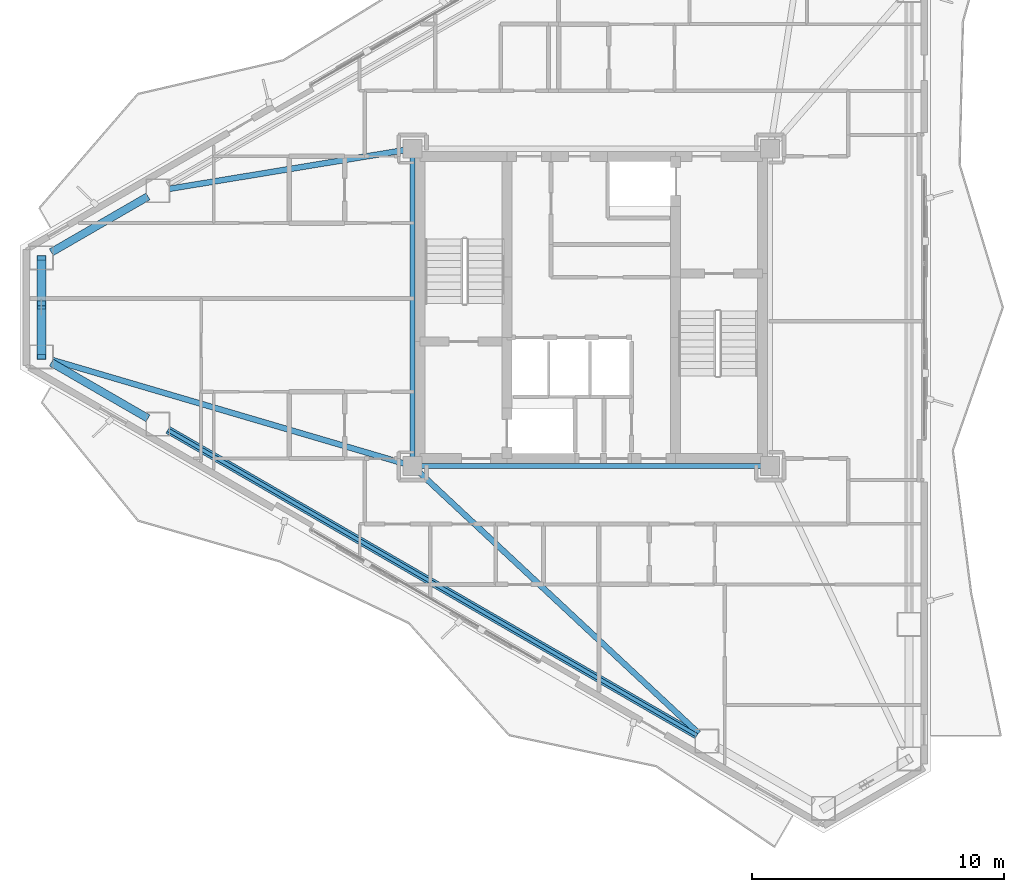
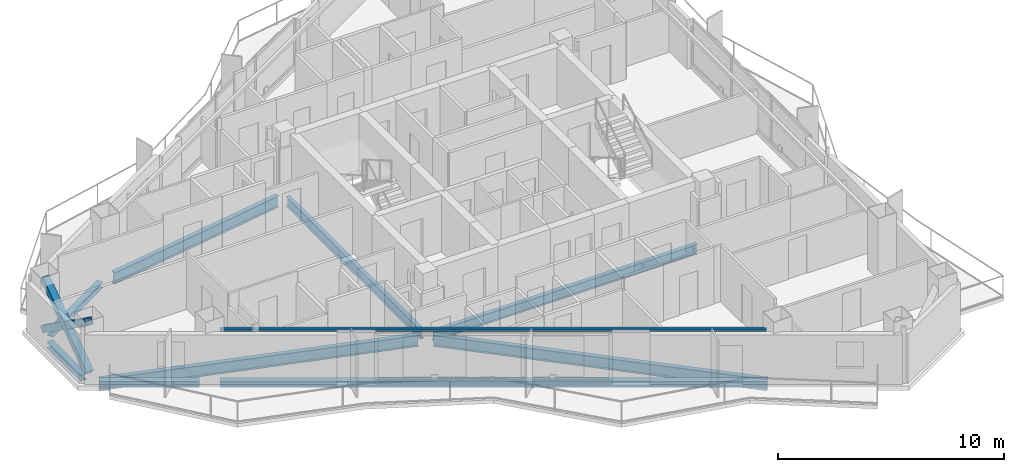
# One storey, part 4 of 19: 10 beams, 3 members.
"""IFC4 building model written with IfcOpenShell, lengths in metres."""

from ifc_helpers import new_model, si_unit, direction, frame, origin, origin_2d, place, context, subcontext, project, spatial, hollow_rectangle, i_section, extrude, material, material_profile, profile_set, type_object, element, save


model = new_model("IFC4")

# Units and contexts
model_context = context("Model", 3, precision=1e-05, world=origin(), true_north=direction((0.0, 1.0)))
body_context = subcontext(model_context, "Body", "Model", "MODEL_VIEW")
ifc_project = project(units=[si_unit("LENGTHUNIT", "METRE"), si_unit("AREAUNIT", "SQUARE_METRE"), si_unit("VOLUMEUNIT", "CUBIC_METRE"), si_unit("PLANEANGLEUNIT", "RADIAN"), si_unit("MASSUNIT", "GRAM", prefix="KILO")], contexts=[model_context])

# Site, building, storey
site_placement = place(None, origin())
site = spatial("IfcSite", under=ifc_project, at=site_placement, CompositionType="ELEMENT")
building_placement = place(site_placement, origin())
building = spatial("IfcBuilding", under=site, at=building_placement, Name="Mersakhor Tower and Convention Hall", CompositionType="ELEMENT")
storey_placement = place(building_placement, frame((0.0, 0.0, 141.0)))
storey = spatial("IfcBuildingStorey", under=building, at=storey_placement, Name="L39", CompositionType="ELEMENT", Elevation=141.0)

# Beams
ifc_material_1 = material(Name="Steel S355", Category="steel")
ifc_material_profile_1 = material_profile(ifc_material_1, i_section(OverallWidth=0.2099609375, OverallDepth=0.53662109375, WebThickness=0.0107421875, FlangeThickness=0.017333984375, at=origin_2d()), Name="UB 533x210x101")
ifc_profile_set_1 = profile_set([ifc_material_profile_1], Name="Steel S355")
beam_type_1 = type_object("IfcBeamType", Name="BM-FB-533", PredefinedType="BEAM", material=ifc_profile_set_1)
beam_1_placement = place(storey_placement, frame((21.89990234375, 20.804931640625, -0.50830078125), z_axis=(0.0, 1.0, 0.0), x_axis=(-1.0, 0.0, 0.0)))
element("IfcBeam", 1, at=beam_1_placement, inside=storey, type_object=beam_type_1, Name="L39 Core Ring Tie Beam CRB-1", PredefinedType="BEAM", context=body_context, shape_type="SweptSolid", body=[
    extrude(i_section(OverallWidth=0.2099609375, OverallDepth=0.53662109375, WebThickness=0.0107421875, FlangeThickness=0.017333984375, at=origin_2d()), origin(), (0.0, 0.0, 1.0), 11.89013671875),
])
beam_2_placement = place(storey_placement, frame((35.7451171875, 20.449951171875, -0.50830078125), z_axis=(-1.0, 0.0, 0.0), x_axis=(0.0, -1.0, 0.0)))
element("IfcBeam", 2, at=beam_2_placement, inside=storey, type_object=beam_type_1, Name="L39 Core Ring Tie Beam CRB-4", PredefinedType="BEAM", context=body_context, shape_type="SweptSolid", body=[
    extrude(i_section(OverallWidth=0.2099609375, OverallDepth=0.53662109375, WebThickness=0.0107421875, FlangeThickness=0.017333984375, at=origin_2d()), origin(), (0.0, 0.0, 1.0), 13.490234375),
])
ifc_material_2 = material(Name="Steel S355", Category="steel")
ifc_material_profile_2 = material_profile(ifc_material_2, hollow_rectangle(XDim=0.14990234375, YDim=0.14990234375, WallThickness=0.010009765625, at=origin_2d()), Name="SHS 150x150x10")
ifc_profile_set_2 = profile_set([ifc_material_profile_2], Name="Steel S355")
beam_type_2 = type_object("IfcBeamType", Name="BM-GRT-SHS150", PredefinedType="USERDEFINED", material=ifc_profile_set_2)
beam_3_placement = place(storey_placement, frame((33.198486328125, 9.754638671875, 2.47998046875), z_axis=(-0.866027433267, 0.499996484816, 0.0), x_axis=(-0.499996484816, -0.866027433267, 0.0)))
element("IfcBeam", 3, at=beam_3_placement, inside=storey, type_object=beam_type_2, Name="L39 Facade Support Girt GRT-F3", ObjectType="GIRT", PredefinedType="USERDEFINED", context=body_context, shape_type="SweptSolid", body=[
    extrude(hollow_rectangle(XDim=0.14990234375, YDim=0.14990234375, WallThickness=0.010009765625, at=origin_2d()), origin(), (0.0, 0.0, 1.0), 24.267333984375),
])
ifc_material_3 = material(Name="Steel S355", Category="steel")
ifc_material_profile_3 = material_profile(ifc_material_3, i_section(OverallWidth=0.22900390625, OverallDepth=0.6123046875, WebThickness=0.011962890625, FlangeThickness=0.01953125, at=origin_2d()), Name="UB 610x229x125")
ifc_profile_set_3 = profile_set([ifc_material_profile_3], Name="Steel S355")
beam_type_3 = type_object("IfcBeamType", Name="BM-PR-610", PredefinedType="BEAM", material=ifc_profile_set_3)
beam_4_placement = place(storey_placement, frame((21.5498046875, 32.9921875, -0.546142578125), z_axis=(-0.986703962282, -0.162527815515, 0.0), x_axis=(0.162527815515, -0.986703962282, 0.0)))
element("IfcBeam", 4, at=beam_4_placement, inside=storey, type_object=beam_type_3, Name="L39 Primary Floor Girder FG-1", PredefinedType="BEAM", context=body_context, shape_type="SweptSolid", body=[
    extrude(i_section(OverallWidth=0.22900390625, OverallDepth=0.6123046875, WebThickness=0.011962890625, FlangeThickness=0.01953125, at=origin_2d()), origin(), (0.0, 0.0, 1.0), 9.43798828125),
])
beam_5_placement = place(storey_placement, frame((22.159423828125, 20.207763671875, -0.546142578125), z_axis=(0.730740936679, -0.682654878736, 0.0), x_axis=(0.682654878736, 0.730740936679, 0.0)))
element("IfcBeam", 5, at=beam_5_placement, inside=storey, type_object=beam_type_3, Name="L39 Primary Floor Girder FG-5", PredefinedType="BEAM", context=body_context, shape_type="SweptSolid", body=[
    extrude(i_section(OverallWidth=0.22900390625, OverallDepth=0.6123046875, WebThickness=0.011962890625, FlangeThickness=0.01953125, at=origin_2d()), origin(), (0.0, 0.0, 1.0), 15.19091796875),
])
beam_6_placement = place(storey_placement, frame((21.559326171875, 20.55029296875, -0.546142578125), z_axis=(-0.959324090351, 0.282307083992, 0.0), x_axis=(-0.282307083992, -0.959324090351, 0.0)))
element("IfcBeam", 6, at=beam_6_placement, inside=storey, type_object=beam_type_3, Name="L39 Primary Floor Girder FG-6", PredefinedType="BEAM", context=body_context, shape_type="SweptSolid", body=[
    extrude(i_section(OverallWidth=0.22900390625, OverallDepth=0.6123046875, WebThickness=0.011962890625, FlangeThickness=0.01953125, at=origin_2d()), origin(), (0.0, 0.0, 1.0), 14.5546875),
])
ifc_material_4 = material(Name="Steel S355", Category="steel")
ifc_material_profile_4 = material_profile(ifc_material_4, i_section(OverallWidth=0.30908203125, OverallDepth=0.320556640625, WebThickness=0.013916015625, FlangeThickness=0.021728515625, at=origin_2d()), Name="UC 305x305x137")
ifc_profile_set_4 = profile_set([ifc_material_profile_4], Name="Steel S355")
beam_type_4 = type_object("IfcBeamType", Name="BM-SPD-UC305", PredefinedType="SPANDREL", material=ifc_profile_set_4)
beam_7_placement = place(storey_placement, frame((7.55419921875, 28.939697265625, -0.400146484375), z_axis=(0.866028798401, 0.499994120305, 0.0), x_axis=(-0.499994120305, 0.866028798401, 0.0)))
element("IfcBeam", 7, at=beam_7_placement, inside=storey, type_object=beam_type_4, Name="L39 Perimeter Spandrel Beam SPB-01", PredefinedType="SPANDREL", context=body_context, shape_type="SweptSolid", body=[
    extrude(i_section(OverallWidth=0.30908203125, OverallDepth=0.320556640625, WebThickness=0.013916015625, FlangeThickness=0.021728515625, at=origin_2d()), origin(), (0.0, 0.0, 1.0), 4.43408203125),
])
beam_8_placement = place(storey_placement, frame((33.198486328125, 9.754638671875, -0.400146484375), z_axis=(-0.866027433267, 0.499996484816, 0.0), x_axis=(-0.499996484816, -0.866027433267, 0.0)))
element("IfcBeam", 8, at=beam_8_placement, inside=storey, type_object=beam_type_4, Name="L39 Perimeter Spandrel Beam SPB-10", PredefinedType="SPANDREL", context=body_context, shape_type="SweptSolid", body=[
    extrude(i_section(OverallWidth=0.30908203125, OverallDepth=0.320556640625, WebThickness=0.013916015625, FlangeThickness=0.021728515625, at=origin_2d()), origin(), (0.0, 0.0, 1.0), 24.267333984375),
])
beam_9_placement = place(storey_placement, frame((11.394287109375, 22.34326171875, -0.400146484375), z_axis=(-0.866028798401, 0.499994120305, 0.0), x_axis=(-0.499994120305, -0.866028798401, 0.0)))
element("IfcBeam", 9, at=beam_9_placement, inside=storey, type_object=beam_type_4, Name="L39 Perimeter Spandrel Beam SPB-11", PredefinedType="SPANDREL", context=body_context, shape_type="SweptSolid", body=[
    extrude(i_section(OverallWidth=0.30908203125, OverallDepth=0.320556640625, WebThickness=0.013916015625, FlangeThickness=0.021728515625, at=origin_2d()), origin(), (0.0, 0.0, 1.0), 4.43408203125),
])
beam_10_placement = place(storey_placement, frame((7.160400390625, 25.24267578125, -0.400146484375), z_axis=(0.0, 1.0, 0.0), x_axis=(-1.0, 0.0, 0.0)))
element("IfcBeam", 10, at=beam_10_placement, inside=storey, type_object=beam_type_4, Name="L39 Perimeter Spandrel Beam SPB-12", PredefinedType="SPANDREL", context=body_context, shape_type="SweptSolid", body=[
    extrude(i_section(OverallWidth=0.30908203125, OverallDepth=0.320556640625, WebThickness=0.013916015625, FlangeThickness=0.021728515625, at=origin_2d()), origin(), (0.0, 0.0, 1.0), 3.0146484375),
])

# Members
ifc_material_5 = material(Name="Steel S460", Category="steel")
ifc_material_profile_5 = material_profile(ifc_material_5, hollow_rectangle(XDim=0.35009765625, YDim=0.35009765625, WallThickness=0.02001953125, at=origin_2d()), Name="SHS 350x350x20")
ifc_profile_set_5 = profile_set([ifc_material_profile_5], Name="Steel S460")
member_type = type_object("IfcMemberType", Name="MB-BRC-SHS350", PredefinedType="BRACE", material=ifc_profile_set_5)
member_placement = place(storey_placement, frame((7.160400390625, 24.78759765625, 0.14990234375), z_axis=(0.0, 0.817991748952, 0.575229952843), x_axis=(-1.0, 0.0, 0.0)))
element("IfcMember", 11, at=member_placement, inside=storey, type_object=member_type, Name="L39 Chamfer Braced Frame Diagonal CB-3A", PredefinedType="BRACE", context=body_context, shape_type="SweptSolid", body=[
    extrude(hollow_rectangle(XDim=0.35009765625, YDim=0.35009765625, WallThickness=0.02001953125, at=origin_2d()), origin(), (0.0, 0.0, 1.0), 4.798095703125),
])
for number, where, z_axis, x_axis, name in (
    (12, (7.160400390625, 28.71240234375, 0.14990234375), (0.0, -0.817960781121, 0.575273987372), (1.0, 0.0, 0.0), "L39 Chamfer Braced Frame Diagonal CB-3B Lower Half"),
    (13, (7.160400390625, 26.59130859375, 1.6416015625), (0.0, -0.818012878097, 0.575199905483), (1.0, 0.0, 0.0), "L39 Chamfer Braced Frame Diagonal CB-3B Upper Half"),
):
    element("IfcMember", number, at=place(storey_placement, frame(where, z_axis=z_axis, x_axis=x_axis)), inside=storey, type_object=member_type, Name=name, PredefinedType="BRACE", context=body_context, shape_type="SweptSolid", body=[
        extrude(hollow_rectangle(XDim=0.35009765625, YDim=0.35009765625, WallThickness=0.02001953125, at=origin_2d()), origin(), (0.0, 0.0, 1.0), 2.205078125),
    ])

save(model, "model.ifc")
